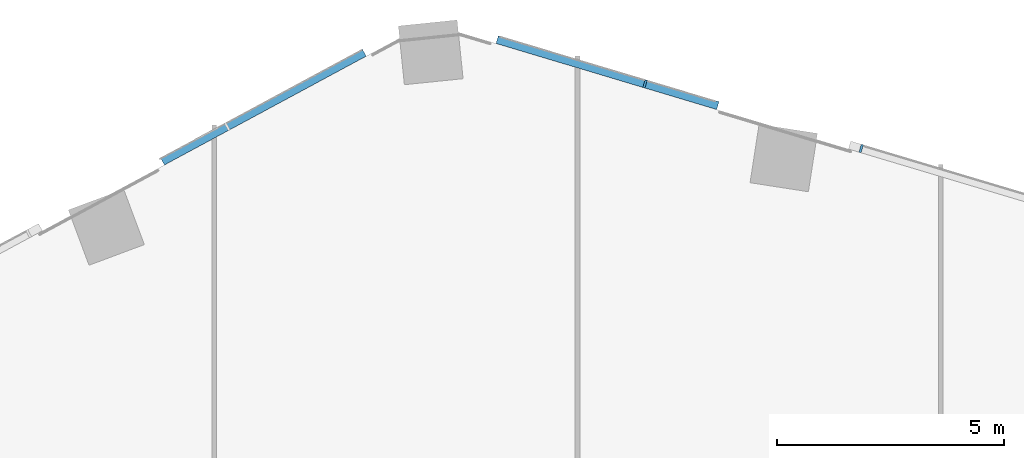
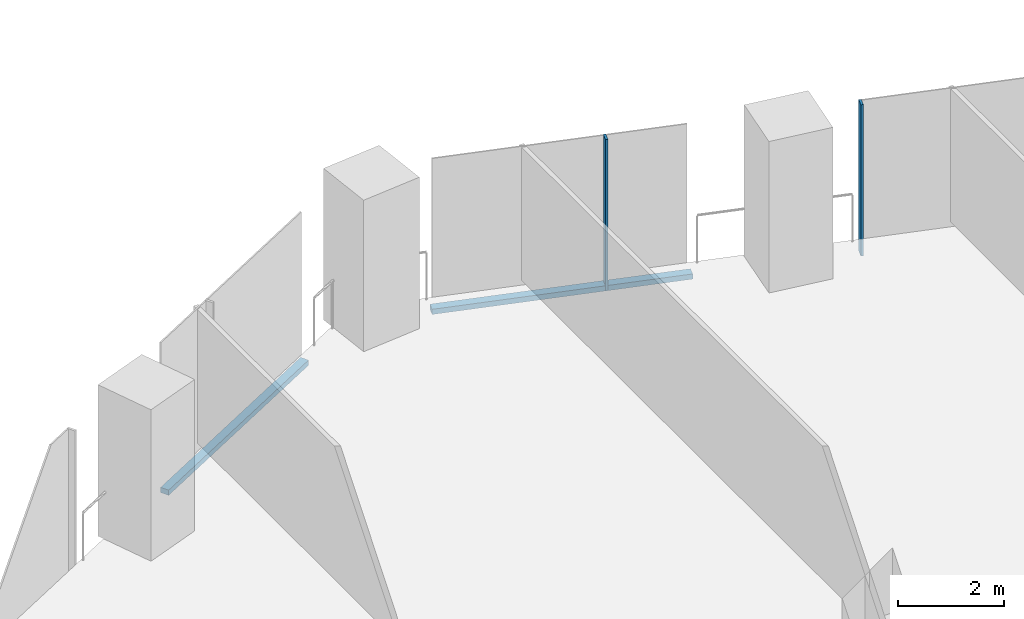
# One storey, part 10 of 32: 4 members, 2 elements without a shape of their own.
"""IFC4 building model written with IfcOpenShell, lengths in metres."""

from ifc_helpers import new_model, si_unit, direction, frame, origin, origin_2d, place, context, subcontext, project, spatial, rectangle, extrude, material, material_profile, profile_set, type_object, element, aggregate, save


model = new_model("IFC4")

# Units and contexts
model_context = context("Model", 3, precision=1e-05, world=origin(), true_north=direction((0.0, 1.0)))
body_context = subcontext(model_context, "Body", "Model", "MODEL_VIEW")
ifc_project = project(units=[si_unit("LENGTHUNIT", "METRE"), si_unit("AREAUNIT", "SQUARE_METRE"), si_unit("VOLUMEUNIT", "CUBIC_METRE"), si_unit("PLANEANGLEUNIT", "RADIAN"), si_unit("MASSUNIT", "GRAM", prefix="KILO")], contexts=[model_context])

# Site, building, storey
site_placement = place(None, origin())
site = spatial("IfcSite", under=ifc_project, at=site_placement, CompositionType="ELEMENT")
building_placement = place(site_placement, origin())
building = spatial("IfcBuilding", under=site, at=building_placement, Name="Orlundy Tower", CompositionType="ELEMENT")
storey_placement = place(building_placement, frame((0.0, 0.0, 123.699951171875)))
storey = spatial("IfcBuildingStorey", under=building, at=storey_placement, Name="L31", CompositionType="ELEMENT", Elevation=123.699951171875)

# Curtain wall, members
ifc_material_1 = material(Name="Aluminium bronze anodised", Category="aluminium")
curtain_wall_type = type_object("IfcCurtainWallType", Name="CW1 wall", PredefinedType="NOTDEFINED", material=ifc_material_1)
curtain_wall_1_placement = place(storey_placement, origin())
curtain_wall_1 = element("IfcCurtainWall", 1, at=curtain_wall_1_placement, inside=storey, type_object=curtain_wall_type, Name="CW1 run 04", PredefinedType="NOTDEFINED")
ifc_material_2 = material(Name="Aluminium bronze anodised", Category="aluminium")
ifc_material_profile_1 = material_profile(ifc_material_2, rectangle(XDim=0.179931640625, YDim=0.050048828125, at=origin_2d()), Name="CW1 mullion 50x180")
ifc_profile_set_1 = profile_set([ifc_material_profile_1], Name="Aluminium bronze anodised")
member_type_1 = type_object("IfcMemberType", Name="CW1 mullion 50x180", PredefinedType="MULLION", material=ifc_profile_set_1)
member_1_placement = place(storey_placement, frame((1.4873046875, 30.964599609375, -0.39990234375), z_axis=(0.0, 0.0, 1.0), x_axis=(0.286816257107, 0.957985612971, 0.0)))
member_1 = element("IfcMember", 2, at=member_1_placement, type_object=member_type_1, Name="CW1 mullion 20", PredefinedType="MULLION", context=body_context, shape_type="SweptSolid", body=[
    extrude(rectangle(XDim=0.179931640625, YDim=0.050048828125, at=origin_2d()), origin(), (0.0, 0.0, 1.0), 3.5),
])
member_2_placement = place(storey_placement, frame((6.2490234375, 29.5390625, -0.39990234375), z_axis=(0.0, 0.0, 1.0), x_axis=(0.286816257107, 0.957985612971, 0.0)))
member_2 = element("IfcMember", 3, at=member_2_placement, type_object=member_type_1, Name="CW1 mullion 21", PredefinedType="MULLION", context=body_context, shape_type="SweptSolid", body=[
    extrude(rectangle(XDim=0.179931640625, YDim=0.050048828125, at=origin_2d()), origin(), (0.0, 0.0, 1.0), 3.5),
])

# Curtain wall, member
curtain_wall_2_placement = place(storey_placement, origin())
curtain_wall_2 = element("IfcCurtainWall", 4, at=curtain_wall_2_placement, inside=storey, type_object=curtain_wall_type, Name="CW1 run 03", PredefinedType="NOTDEFINED")
ifc_material_3 = material(Name="Aluminium bronze anodised", Category="aluminium")
ifc_material_profile_2 = material_profile(ifc_material_3, rectangle(XDim=0.179931640625, YDim=0.1201171875, at=origin_2d()), Name="CW1 transom 180x120")
ifc_profile_set_2 = profile_set([ifc_material_profile_2], Name="Aluminium bronze anodised")
member_type_2 = type_object("IfcMemberType", Name="CW1 transom 180x120", PredefinedType="USERDEFINED", material=ifc_profile_set_2)
member_3_placement = place(storey_placement, frame((-9.142822265625, 29.255615234375, -0.33984375), z_axis=(0.880188314195, 0.474624621732, 0.0), x_axis=(-0.474624621732, 0.880188314195, 0.0)))
member_3 = element("IfcMember", 5, at=member_3_placement, type_object=member_type_2, Name="CW1 transom", ObjectType="TRANSOM", PredefinedType="USERDEFINED", context=body_context, shape_type="SweptSolid", body=[
    extrude(rectangle(XDim=0.179931640625, YDim=0.1201171875, at=origin_2d()), origin(), (0.0, 0.0, 1.0), 5.048095703125),
])
aggregate(curtain_wall_2, [member_3])

# Member
member_4_placement = place(storey_placement, frame((-1.7685546875, 31.939453125, -0.33984375), z_axis=(0.957982440412, -0.286826853454, 0.0), x_axis=(0.286826853454, 0.957982440412, 0.0)))
member_4 = element("IfcMember", 6, at=member_4_placement, type_object=member_type_2, Name="CW1 transom", ObjectType="TRANSOM", PredefinedType="USERDEFINED", context=body_context, shape_type="SweptSolid", body=[
    extrude(rectangle(XDim=0.179931640625, YDim=0.1201171875, at=origin_2d()), origin(), (0.0, 0.0, 1.0), 5.072998046875),
])

aggregate(curtain_wall_1, [member_1, member_2, member_4])

save(model, "model.ifc")
